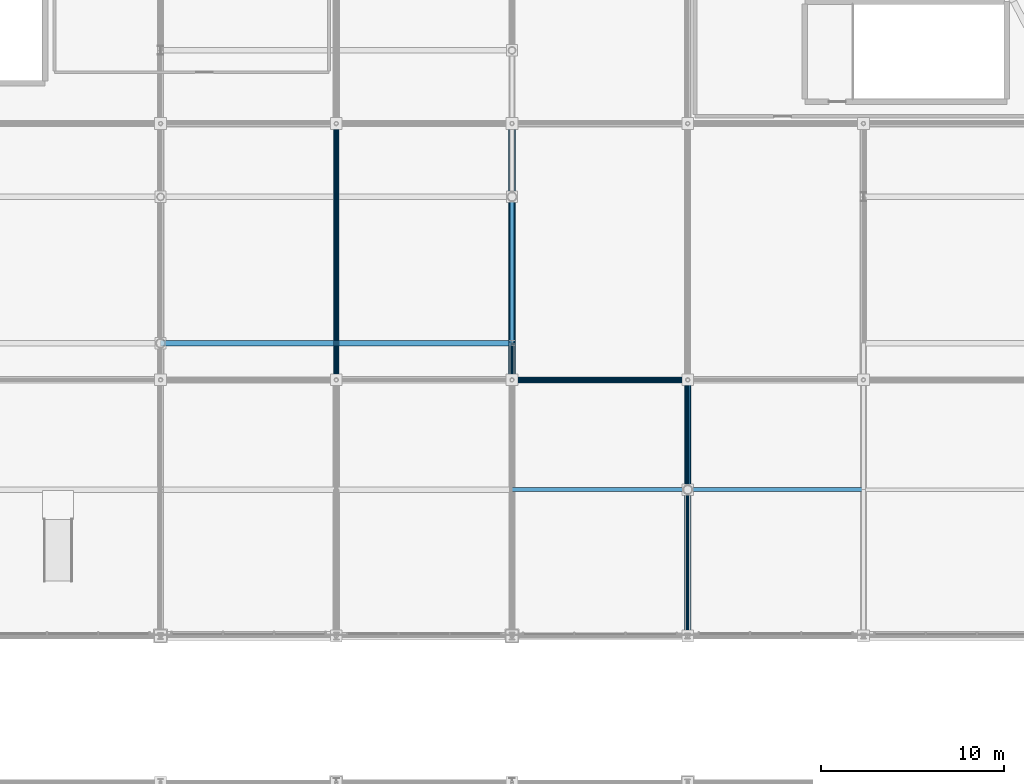
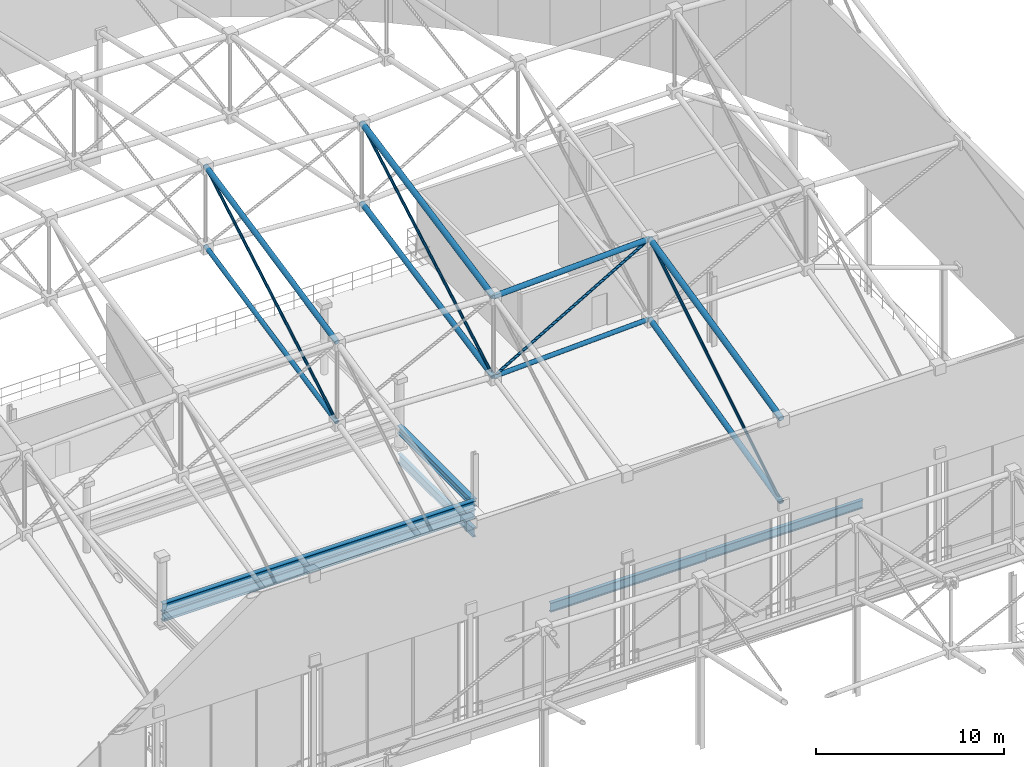
# One storey, part 108 of 193: 12 members, 6 beams.
"""IFC4 building model written with IfcOpenShell, lengths in metres."""

from ifc_helpers import new_model, si_unit, direction, frame, origin, origin_2d, place, context, subcontext, project, spatial, hollow_circle, i_section, extrude, material, material_profile, profile_set, type_object, element, save


model = new_model("IFC4")

# Units and contexts
model_context = context("Model", 3, precision=1e-05, world=origin(), true_north=direction((0.0, 1.0)))
body_context = subcontext(model_context, "Body", "Model", "MODEL_VIEW")
ifc_project = project(units=[si_unit("LENGTHUNIT", "METRE"), si_unit("AREAUNIT", "SQUARE_METRE"), si_unit("VOLUMEUNIT", "CUBIC_METRE"), si_unit("PLANEANGLEUNIT", "RADIAN"), si_unit("MASSUNIT", "GRAM", prefix="KILO")], contexts=[model_context])

# Site, building, storey
site_placement = place(None, origin())
site = spatial("IfcSite", under=ifc_project, at=site_placement, CompositionType="ELEMENT")
building_placement = place(site_placement, origin())
building = spatial("IfcBuilding", under=site, at=building_placement, Name="Danafjord Basin Convention Centre", CompositionType="ELEMENT")
storey_placement = place(building_placement, frame((0.0, 0.0, 11.39990234375)))
storey = spatial("IfcBuildingStorey", under=building, at=storey_placement, Name="L02", CompositionType="ELEMENT", Elevation=11.39990234375)

# Beams
ifc_material = material(Name="Steel S355", Category="steel")
ifc_material_profile_1 = material_profile(ifc_material, i_section(OverallWidth=0.300048828125, OverallDepth=0.5, WebThickness=0.014404296875, FlangeThickness=0.028076171875, FilletRadius=0.027099609375, at=origin_2d()), Name="HEB 500")
ifc_profile_set_1 = profile_set([ifc_material_profile_1], Name="Steel S355")
beam_type_1 = type_object("IfcBeamType", Name="BEAM-BM-HEB500", PredefinedType="BEAM", material=ifc_profile_set_1)
beam_1_placement = place(storey_placement, frame((172.800048828125, 104.0, 1.22998046875), z_axis=(0.0, 1.0, 0.0), x_axis=(-1.0, 0.0, 0.0)))
element("IfcBeam", 1, at=beam_1_placement, inside=storey, type_object=beam_type_1, Name="Balcony tier carrier girder", PredefinedType="BEAM", context=body_context, shape_type="SweptSolid", body=[
    extrude(i_section(OverallWidth=0.300048828125, OverallDepth=0.5, WebThickness=0.014404296875, FlangeThickness=0.028076171875, FilletRadius=0.027099609375, at=origin_2d()), origin(), (0.0, 0.0, 1.0), 8.0),
])
ifc_material_profile_2 = material_profile(ifc_material, i_section(OverallWidth=0.300048828125, OverallDepth=0.60009765625, WebThickness=0.015380859375, FlangeThickness=0.030029296875, FilletRadius=0.027099609375, at=origin_2d()), Name="HEB 600")
ifc_profile_set_2 = profile_set([ifc_material_profile_2], Name="Steel S355")
beam_type_2 = type_object("IfcBeamType", Name="BEAM-BM-HEB600", PredefinedType="BEAM", material=ifc_profile_set_2)
for number, where, z_axis, x_axis, name in (
    (2, (153.60009765625, 104.0, 0.64013671875), (1.0, 0.0, 0.0), (0.0, 1.0, 0.0), "Balcony tier transverse girder"),
    (3, (153.60009765625, 104.0, 1.18017578125), (1.0, 0.0, 0.0), (0.0, 1.0, 0.0), "Balcony tier transverse girder"),
):
    element("IfcBeam", number, at=place(storey_placement, frame(where, z_axis=z_axis, x_axis=x_axis)), inside=storey, type_object=beam_type_2, Name=name, PredefinedType="BEAM", context=body_context, shape_type="SweptSolid", body=[
        extrude(i_section(OverallWidth=0.300048828125, OverallDepth=0.60009765625, WebThickness=0.015380859375, FlangeThickness=0.030029296875, FilletRadius=0.027099609375, at=origin_2d()), origin(), (0.0, 0.0, 1.0), 19.199951171875),
    ])
ifc_material_profile_3 = material_profile(ifc_material, i_section(OverallWidth=0.2099609375, OverallDepth=0.550048828125, WebThickness=0.010986328125, FlangeThickness=0.01708984375, FilletRadius=0.02392578125, at=origin_2d()), Name="IPE 550")
ifc_profile_set_3 = profile_set([ifc_material_profile_3], Name="Steel S355")
beam_type_3 = type_object("IfcBeamType", Name="BEAM-BM-IPE550", PredefinedType="BEAM", material=ifc_profile_set_3)
beam_2_placement = place(storey_placement, frame((182.39990234375, 96.0, -0.635009765625), z_axis=(1.0, 0.0, 0.0), x_axis=(0.0, 1.0, 0.0)))
element("IfcBeam", 4, at=beam_2_placement, inside=storey, type_object=beam_type_3, Name="L02 girder BM-IPE550", PredefinedType="BEAM", context=body_context, shape_type="SweptSolid", body=[
    extrude(i_section(OverallWidth=0.2099609375, OverallDepth=0.550048828125, WebThickness=0.010986328125, FlangeThickness=0.01708984375, FilletRadius=0.02392578125, at=origin_2d()), origin(), (0.0, 0.0, 1.0), 9.60009765625),
])
ifc_material_profile_4 = material_profile(ifc_material, i_section(OverallWidth=0.219970703125, OverallDepth=0.60009765625, WebThickness=0.011962890625, FlangeThickness=0.01904296875, FilletRadius=0.02392578125, at=origin_2d()), Name="IPE 600")
ifc_profile_set_4 = profile_set([ifc_material_profile_4], Name="Steel S355")
beam_type_4 = type_object("IfcBeamType", Name="BEAM-BM-IPE600", PredefinedType="BEAM", material=ifc_profile_set_4)
beam_3_placement = place(storey_placement, frame((172.800048828125, 96.0, -0.659912109375), z_axis=(1.0, 0.0, 0.0), x_axis=(0.0, 1.0, 0.0)))
element("IfcBeam", 5, at=beam_3_placement, inside=storey, type_object=beam_type_4, Name="L02 girder BM-IPE600", PredefinedType="BEAM", context=body_context, shape_type="SweptSolid", body=[
    extrude(i_section(OverallWidth=0.219970703125, OverallDepth=0.60009765625, WebThickness=0.011962890625, FlangeThickness=0.01904296875, FilletRadius=0.02392578125, at=origin_2d()), origin(), (0.0, 0.0, 1.0), 9.599853515625),
])
beam_4_placement = place(storey_placement, frame((172.800048828125, 104.0, -0.659912109375), z_axis=(0.0, 1.0, 0.0), x_axis=(-1.0, 0.0, 0.0)))
element("IfcBeam", 6, at=beam_4_placement, inside=storey, type_object=beam_type_4, Name="L02 transverse girder BM-IPE600", PredefinedType="BEAM", context=body_context, shape_type="SweptSolid", body=[
    extrude(i_section(OverallWidth=0.219970703125, OverallDepth=0.60009765625, WebThickness=0.011962890625, FlangeThickness=0.01904296875, FilletRadius=0.02392578125, at=origin_2d()), origin(), (0.0, 0.0, 1.0), 8.0),
])

# Members
ifc_material_profile_5 = material_profile(ifc_material, hollow_circle(Radius=0.136474609375, WallThickness=0.012451171875, at=origin_2d()), Name="CHS 273.0x12.5")
ifc_profile_set_5 = profile_set([ifc_material_profile_5], Name="Steel S355")
member_type_1 = type_object("IfcMemberType", Name="MEM-CH-CHS273", PredefinedType="CHORD", material=ifc_profile_set_5)
member_1_placement = place(storey_placement, frame((163.199951171875, 102.0, 11.059814453125), z_axis=(0.0, 0.978472048473, 0.206379384526), x_axis=(-1.0, 0.0, 0.0)))
element("IfcMember", 7, at=member_1_placement, inside=storey, type_object=member_type_1, Name="V2 roof truss transverse bottom chord", PredefinedType="CHORD", context=body_context, shape_type="SweptSolid", body=[
    extrude(hollow_circle(Radius=0.136474609375, WallThickness=0.012451171875, at=origin_2d()), origin(), (0.0, 0.0, 1.0), 14.30810546875),
])
member_2_placement = place(storey_placement, frame((172.800048828125, 102.0, 10.666015625), z_axis=(0.999159685328, 0.0, 0.040986866367), x_axis=(0.0, 1.0, 0.0)))
element("IfcMember", 8, at=member_2_placement, inside=storey, type_object=member_type_1, Name="V2 roof truss longitudinal bottom chord", PredefinedType="CHORD", context=body_context, shape_type="SweptSolid", body=[
    extrude(hollow_circle(Radius=0.136474609375, WallThickness=0.012451171875, at=origin_2d()), origin(), (0.0, 0.0, 1.0), 9.60791015625),
])
ifc_material_profile_6 = material_profile(ifc_material, hollow_circle(Radius=0.161865234375, WallThickness=0.01611328125, at=origin_2d()), Name="CHS 323.9x16.0")
ifc_profile_set_6 = profile_set([ifc_material_profile_6], Name="Steel S355")
member_type_2 = type_object("IfcMemberType", Name="MEM-CH-CHS324", PredefinedType="CHORD", material=ifc_profile_set_6)
member_3_placement = place(storey_placement, frame((163.199951171875, 102.0, 16.259765625), z_axis=(0.0, 0.978472048473, 0.206379384526), x_axis=(-1.0, 0.0, 0.0)))
element("IfcMember", 9, at=member_3_placement, inside=storey, type_object=member_type_2, Name="V2 roof truss transverse top chord", PredefinedType="CHORD", context=body_context, shape_type="SweptSolid", body=[
    extrude(hollow_circle(Radius=0.161865234375, WallThickness=0.01611328125, at=origin_2d()), origin(), (0.0, 0.0, 1.0), 14.30810546875),
])
member_4_placement = place(storey_placement, frame((172.800048828125, 102.0, 15.8662109375), z_axis=(0.999160725622, 0.0, 0.040961498683), x_axis=(0.0, 1.0, 0.0)))
element("IfcMember", 10, at=member_4_placement, inside=storey, type_object=member_type_2, Name="V2 roof truss longitudinal top chord", PredefinedType="CHORD", context=body_context, shape_type="SweptSolid", body=[
    extrude(hollow_circle(Radius=0.161865234375, WallThickness=0.01611328125, at=origin_2d()), origin(), (0.0, 0.0, 1.0), 9.60791015625),
])
member_5_placement = place(storey_placement, frame((172.800048828125, 102.0, 10.666015625), z_axis=(0.0, 0.980793234721, 0.195050328696), x_axis=(-1.0, 0.0, 0.0)))
element("IfcMember", 11, at=member_5_placement, inside=storey, type_object=member_type_2, Name="V2 roof truss transverse bottom chord", PredefinedType="CHORD", context=body_context, shape_type="SweptSolid", body=[
    extrude(hollow_circle(Radius=0.161865234375, WallThickness=0.01611328125, at=origin_2d()), origin(), (0.0, 0.0, 1.0), 14.274169921875),
])
member_6_placement = place(storey_placement, frame((182.39990234375, 88.0, 7.650146484375), z_axis=(0.0, 0.971599626019, 0.236630865949), x_axis=(-1.0, 0.0, 0.0)))
element("IfcMember", 12, at=member_6_placement, inside=storey, type_object=member_type_2, Name="V2 roof truss transverse bottom chord", PredefinedType="CHORD", context=body_context, shape_type="SweptSolid", body=[
    extrude(hollow_circle(Radius=0.161865234375, WallThickness=0.01611328125, at=origin_2d()), origin(), (0.0, 0.0, 1.0), 14.4091796875),
])
ifc_material_profile_7 = material_profile(ifc_material, hollow_circle(Radius=0.177734375, WallThickness=0.01611328125, at=origin_2d()), Name="CHS 355.6x16.0")
ifc_profile_set_7 = profile_set([ifc_material_profile_7], Name="Steel S355")
member_type_3 = type_object("IfcMemberType", Name="MEM-CH-CHS355", PredefinedType="CHORD", material=ifc_profile_set_7)
member_7_placement = place(storey_placement, frame((172.800048828125, 102.0, 15.8662109375), z_axis=(0.0, 0.980796506597, 0.19503387564), x_axis=(-1.0, 0.0, 0.0)))
element("IfcMember", 13, at=member_7_placement, inside=storey, type_object=member_type_3, Name="V2 roof truss transverse top chord", PredefinedType="CHORD", context=body_context, shape_type="SweptSolid", body=[
    extrude(hollow_circle(Radius=0.177734375, WallThickness=0.01611328125, at=origin_2d()), origin(), (0.0, 0.0, 1.0), 14.274169921875),
])
member_8_placement = place(storey_placement, frame((182.39990234375, 88.0, 13.0751953125), z_axis=(0.0, 0.975091413877, 0.221803369186), x_axis=(-1.0, 0.0, 0.0)))
element("IfcMember", 14, at=member_8_placement, inside=storey, type_object=member_type_3, Name="V2 roof truss transverse top chord", PredefinedType="CHORD", context=body_context, shape_type="SweptSolid", body=[
    extrude(hollow_circle(Radius=0.177734375, WallThickness=0.01611328125, at=origin_2d()), origin(), (0.0, 0.0, 1.0), 14.357666015625),
])
ifc_material_profile_8 = material_profile(ifc_material, hollow_circle(Radius=0.084228515625, WallThickness=0.008056640625, at=origin_2d()), Name="CHS 168.3x8.0")
ifc_profile_set_8 = profile_set([ifc_material_profile_8], Name="Steel S355")
member_type_4 = type_object("IfcMemberType", Name="MEM-WB-CHS168", PredefinedType="MEMBER", material=ifc_profile_set_8)
member_9_placement = place(storey_placement, frame((163.199951171875, 102.0, 11.059814453125), z_axis=(0.0, 0.864150330313, 0.503233749485), x_axis=(-1.0, 0.0, 0.0)))
element("IfcMember", 15, at=member_9_placement, inside=storey, type_object=member_type_4, Name="V2 space-frame transverse web", PredefinedType="MEMBER", context=body_context, shape_type="SweptSolid", body=[
    extrude(hollow_circle(Radius=0.084228515625, WallThickness=0.008056640625, at=origin_2d()), origin(), (0.0, 0.0, 1.0), 16.200927734375),
])
member_10_placement = place(storey_placement, frame((172.800048828125, 102.0, 10.666015625), z_axis=(0.864020282577, 0.0, 0.503457000443), x_axis=(0.0, 1.0, 0.0)))
element("IfcMember", 16, at=member_10_placement, inside=storey, type_object=member_type_4, Name="V2 space-frame longitudinal web", PredefinedType="MEMBER", context=body_context, shape_type="SweptSolid", body=[
    extrude(hollow_circle(Radius=0.084228515625, WallThickness=0.008056640625, at=origin_2d()), origin(), (0.0, 0.0, 1.0), 11.110595703125),
])
member_11_placement = place(storey_placement, frame((172.800048828125, 102.0, 10.666015625), z_axis=(0.0, 0.868666978636, 0.495396487904), x_axis=(-1.0, 0.0, 0.0)))
element("IfcMember", 17, at=member_11_placement, inside=storey, type_object=member_type_4, Name="V2 space-frame transverse web", PredefinedType="MEMBER", context=body_context, shape_type="SweptSolid", body=[
    extrude(hollow_circle(Radius=0.084228515625, WallThickness=0.008056640625, at=origin_2d()), origin(), (0.0, 0.0, 1.0), 16.11669921875),
])
member_12_placement = place(storey_placement, frame((182.39990234375, 88.0, 7.650146484375), z_axis=(0.0, 0.85181485631, 0.523842963654), x_axis=(-1.0, 0.0, 0.0)))
element("IfcMember", 18, at=member_12_placement, inside=storey, type_object=member_type_4, Name="V2 space-frame transverse web", PredefinedType="MEMBER", context=body_context, shape_type="SweptSolid", body=[
    extrude(hollow_circle(Radius=0.084228515625, WallThickness=0.008056640625, at=origin_2d()), origin(), (0.0, 0.0, 1.0), 16.435546875),
])

save(model, "model.ifc")
